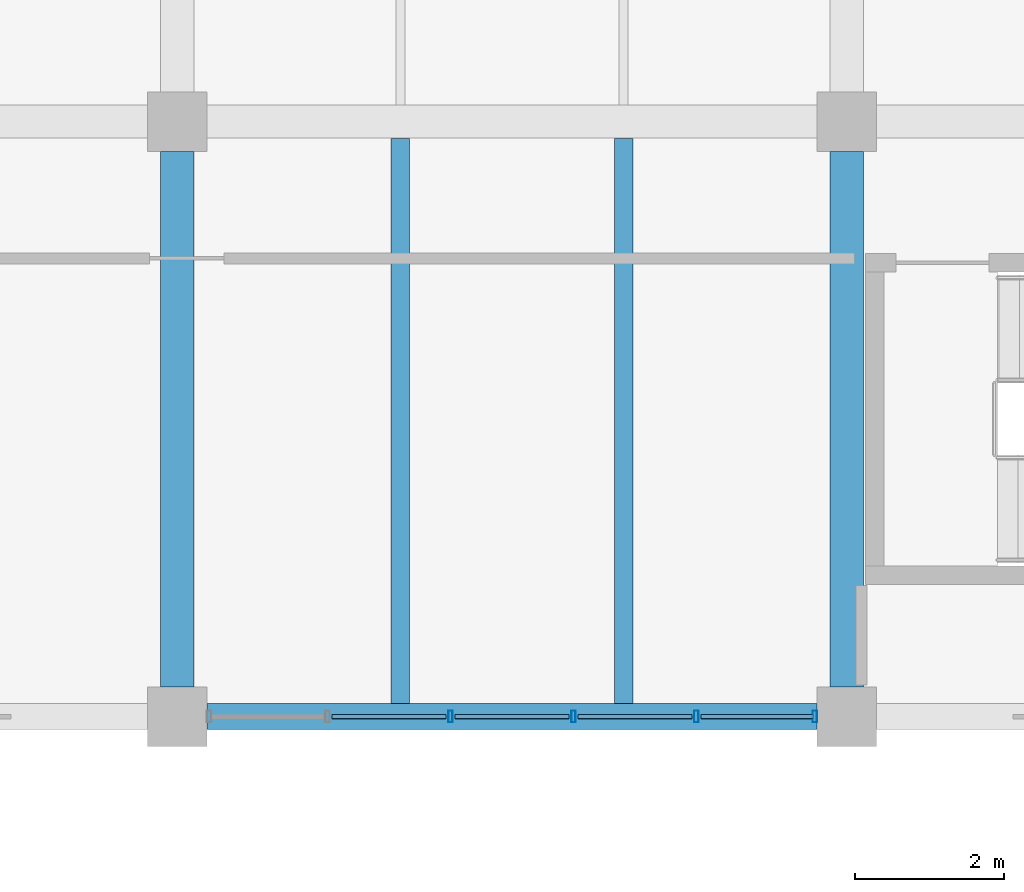
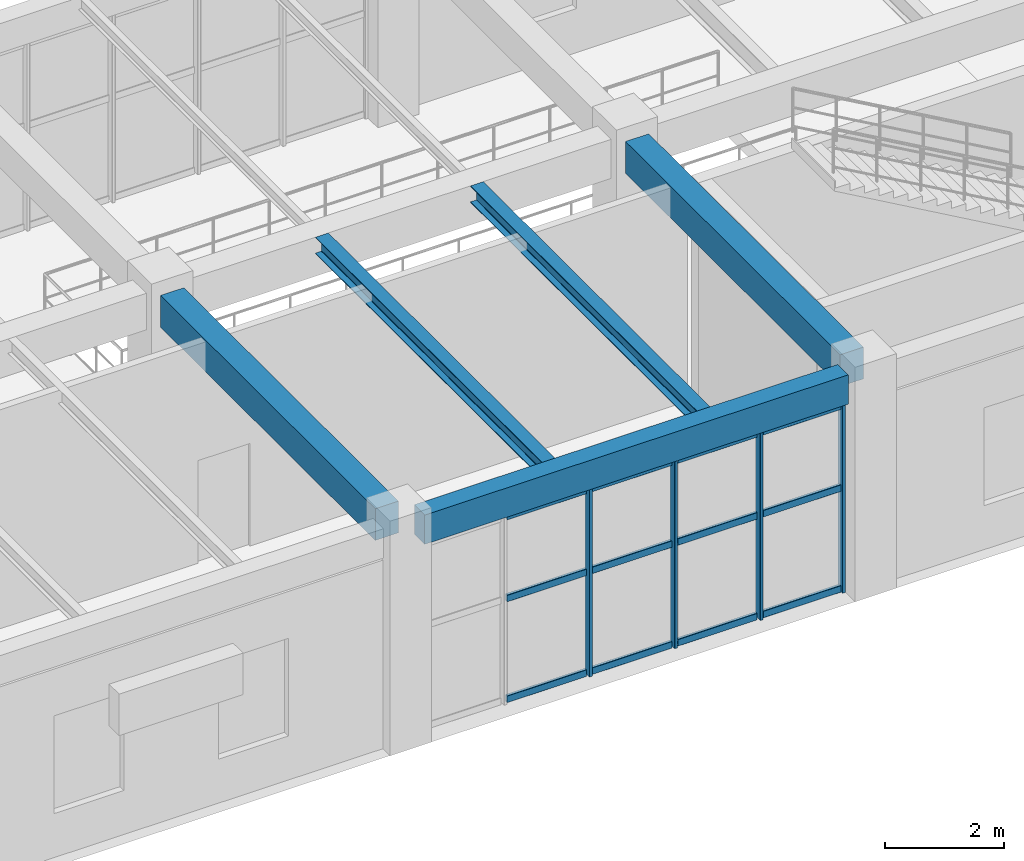
# One storey, part 46 of 178: 16 members, 5 beams, 1 element without a shape of its own.
"""IFC4 building model written with IfcOpenShell, lengths in metres."""

from ifc_helpers import new_model, si_unit, derived_unit, direction, frame, origin, origin_2d, place, context, subcontext, project, spatial, rectangle, hollow_rectangle, i_section, extrude, material, material_profile, profile_set, type_object, element, aggregate, save


model = new_model("IFC4")

# Units and contexts
model_context = context("Model", 3, precision=1e-05, world=origin(), true_north=direction((0.0, 1.0)))
body_context = subcontext(model_context, "Body", "Model", "MODEL_VIEW")
ifc_project = project(units=[si_unit("LENGTHUNIT", "METRE"), si_unit("AREAUNIT", "SQUARE_METRE"), si_unit("VOLUMEUNIT", "CUBIC_METRE"), si_unit("PLANEANGLEUNIT", "RADIAN"), si_unit("MASSUNIT", "GRAM", prefix="KILO"), derived_unit("THERMALTRANSMITTANCEUNIT", [(si_unit("MASSUNIT", "GRAM", prefix="KILO"), 1), (si_unit("TIMEUNIT", "SECOND"), -3), (si_unit("THERMODYNAMICTEMPERATUREUNIT", "KELVIN"), -1)])], contexts=[model_context])

# Site, building, storey
site_placement = place(None, origin())
site = spatial("IfcSite", under=ifc_project, at=site_placement, CompositionType="ELEMENT")
building_placement = place(site_placement, origin())
building = spatial("IfcBuilding", under=site, at=building_placement, Name="Zhenchuan Archway Interchange", CompositionType="ELEMENT")
storey_placement = place(building_placement, frame((0.0, 0.0, 5.39990234375)))
storey = spatial("IfcBuildingStorey", under=building, at=storey_placement, Name="L01", CompositionType="ELEMENT", Elevation=5.39990234375)

# Beams
ifc_material_1 = material(Name="Concrete C40", Category="concrete")
ifc_material_profile_1 = material_profile(ifc_material_1, rectangle(XDim=0.449951171875, YDim=0.64990234375, at=origin_2d()), Name="RC 450x650")
ifc_profile_set_1 = profile_set([ifc_material_profile_1], Name="Concrete C40")
beam_type_1 = type_object("IfcBeamType", Name="BM_RC_450x650", PredefinedType="BEAM", material=ifc_profile_set_1)
for number, where, z_axis, x_axis, name in (
    (1, (108.0, 8.39990234375, 4.18505859375), (0.0, 1.0, 0.0), (-1.0, 0.0, 0.0), "Beam 13:B-C (L01)"),
    (2, (117.0, 8.39990234375, 4.18505859375), (0.0, 1.0, 0.0), (-1.0, 0.0, 0.0), "Beam 14:B-C (L01)"),
):
    element("IfcBeam", number, at=place(storey_placement, frame(where, z_axis=z_axis, x_axis=x_axis)), inside=storey, type_object=beam_type_1, Name=name, PredefinedType="BEAM", context=body_context, shape_type="SweptSolid", body=[
        extrude(rectangle(XDim=0.449951171875, YDim=0.64990234375, at=origin_2d()), origin(), (0.0, 0.0, 1.0), 7.2001953125),
    ])

# Curtain wall, members
ifc_material_2 = material(Name="Anodised Aluminium", Category="aluminium")
curtain_wall_type = type_object("IfcCurtainWallType", Name="CW_UNIT_1", PredefinedType="NOTDEFINED", material=ifc_material_2)
curtain_wall_placement = place(storey_placement, origin())
curtain_wall = element("IfcCurtainWall", 3, at=curtain_wall_placement, inside=storey, type_object=curtain_wall_type, Name="Unitised curtain wall CW:L01:072", PredefinedType="NOTDEFINED")
ifc_material_profile_2 = material_profile(ifc_material_2, hollow_rectangle(XDim=0.06005859375, YDim=0.159912109375, WallThickness=0.00390625, InnerFilletRadius=0.00390625, OuterFilletRadius=0.008056640625, at=origin_2d()), Name="ALU 160x60x4")
ifc_profile_set_2 = profile_set([ifc_material_profile_2], Name="Anodised Aluminium")
member_type_1 = type_object("IfcMemberType", Name="CW_MUL_150", PredefinedType="MULLION", material=ifc_profile_set_2)
member_1_placement = place(storey_placement, frame((116.572021484375, 8.0, 0.0), z_axis=(0.0, 0.0, 1.0), x_axis=(1.0, 0.0, 0.0)))
member_1 = element("IfcMember", 4, at=member_1_placement, type_object=member_type_1, Name="CW:L01:072 mullion 0", PredefinedType="MULLION", context=body_context, shape_type="SweptSolid", body=[
    extrude(hollow_rectangle(XDim=0.06005859375, YDim=0.159912109375, WallThickness=0.00390625, InnerFilletRadius=0.00390625, OuterFilletRadius=0.008056640625, at=origin_2d()), origin(), (0.0, 0.0, 1.0), 3.880126953125),
])
member_2_placement = place(storey_placement, frame((114.979248046875, 8.0, 0.0), z_axis=(0.0, 0.0, 1.0), x_axis=(1.0, 0.0, 0.0)))
member_2 = element("IfcMember", 5, at=member_2_placement, type_object=member_type_1, Name="CW:L01:072 mullion 1", PredefinedType="MULLION", context=body_context, shape_type="SweptSolid", body=[
    extrude(hollow_rectangle(XDim=0.06005859375, YDim=0.159912109375, WallThickness=0.00390625, InnerFilletRadius=0.00390625, OuterFilletRadius=0.008056640625, at=origin_2d()), origin(), (0.0, 0.0, 1.0), 3.880126953125),
])
member_3_placement = place(storey_placement, frame((113.326416015625, 8.0, 0.0), z_axis=(0.0, 0.0, 1.0), x_axis=(1.0, 0.0, 0.0)))
member_3 = element("IfcMember", 6, at=member_3_placement, type_object=member_type_1, Name="CW:L01:072 mullion 2", PredefinedType="MULLION", context=body_context, shape_type="SweptSolid", body=[
    extrude(hollow_rectangle(XDim=0.06005859375, YDim=0.159912109375, WallThickness=0.00390625, InnerFilletRadius=0.00390625, OuterFilletRadius=0.008056640625, at=origin_2d()), origin(), (0.0, 0.0, 1.0), 3.880126953125),
])
member_4_placement = place(storey_placement, frame((111.673583984375, 8.0, 0.0), z_axis=(0.0, 0.0, 1.0), x_axis=(1.0, 0.0, 0.0)))
member_4 = element("IfcMember", 7, at=member_4_placement, type_object=member_type_1, Name="CW:L01:072 mullion 3", PredefinedType="MULLION", context=body_context, shape_type="SweptSolid", body=[
    extrude(hollow_rectangle(XDim=0.06005859375, YDim=0.159912109375, WallThickness=0.00390625, InnerFilletRadius=0.00390625, OuterFilletRadius=0.008056640625, at=origin_2d()), origin(), (0.0, 0.0, 1.0), 3.880126953125),
])
ifc_material_profile_3 = material_profile(ifc_material_2, hollow_rectangle(XDim=0.06005859375, YDim=0.139892578125, WallThickness=0.00341796875, InnerFilletRadius=0.00341796875, OuterFilletRadius=0.007080078125, at=origin_2d()), Name="ALU 140x60x3.5")
ifc_profile_set_3 = profile_set([ifc_material_profile_3], Name="Anodised Aluminium")
member_type_2 = type_object("IfcMemberType", Name="CW_TRN_140", PredefinedType="USERDEFINED", material=ifc_profile_set_3)
member_5_placement = place(storey_placement, frame((116.552001953125, 8.0, 0.06005859375), z_axis=(-1.0, 0.0, 0.0), x_axis=(0.0, -1.0, 0.0)))
member_5 = element("IfcMember", 8, at=member_5_placement, type_object=member_type_2, Name="CW:L01:072 transom 0-1", ObjectType="TRANSOM", PredefinedType="USERDEFINED", context=body_context, shape_type="SweptSolid", body=[
    extrude(hollow_rectangle(XDim=0.06005859375, YDim=0.139892578125, WallThickness=0.00341796875, InnerFilletRadius=0.00341796875, OuterFilletRadius=0.007080078125, at=origin_2d()), origin(), (0.0, 0.0, 1.0), 1.5126953125),
])
member_6_placement = place(storey_placement, frame((116.552001953125, 8.0, 2.123046875), z_axis=(-1.0, 0.0, 0.0), x_axis=(0.0, -1.0, 0.0)))
member_6 = element("IfcMember", 9, at=member_6_placement, type_object=member_type_2, Name="CW:L01:072 transom 0-2", ObjectType="TRANSOM", PredefinedType="USERDEFINED", context=body_context, shape_type="SweptSolid", body=[
    extrude(hollow_rectangle(XDim=0.06005859375, YDim=0.139892578125, WallThickness=0.00341796875, InnerFilletRadius=0.00341796875, OuterFilletRadius=0.007080078125, at=origin_2d()), origin(), (0.0, 0.0, 1.0), 1.5126953125),
])
member_7_placement = place(storey_placement, frame((116.552001953125, 8.0, 3.800048828125), z_axis=(-1.0, 0.0, 0.0), x_axis=(0.0, -1.0, 0.0)))
member_7 = element("IfcMember", 10, at=member_7_placement, type_object=member_type_2, Name="CW:L01:072 transom 0-3", ObjectType="TRANSOM", PredefinedType="USERDEFINED", context=body_context, shape_type="SweptSolid", body=[
    extrude(hollow_rectangle(XDim=0.06005859375, YDim=0.139892578125, WallThickness=0.00341796875, InnerFilletRadius=0.00341796875, OuterFilletRadius=0.007080078125, at=origin_2d()), origin(), (0.0, 0.0, 1.0), 1.5126953125),
])
member_8_placement = place(storey_placement, frame((114.919189453125, 8.0, 0.06005859375), z_axis=(-1.0, 0.0, 0.0), x_axis=(0.0, -1.0, 0.0)))
member_8 = element("IfcMember", 11, at=member_8_placement, type_object=member_type_2, Name="CW:L01:072 transom 1-1", ObjectType="TRANSOM", PredefinedType="USERDEFINED", context=body_context, shape_type="SweptSolid", body=[
    extrude(hollow_rectangle(XDim=0.06005859375, YDim=0.139892578125, WallThickness=0.00341796875, InnerFilletRadius=0.00341796875, OuterFilletRadius=0.007080078125, at=origin_2d()), origin(), (0.0, 0.0, 1.0), 1.53271484375),
])
member_9_placement = place(storey_placement, frame((114.919189453125, 8.0, 2.123046875), z_axis=(-1.0, 0.0, 0.0), x_axis=(0.0, -1.0, 0.0)))
member_9 = element("IfcMember", 12, at=member_9_placement, type_object=member_type_2, Name="CW:L01:072 transom 1-2", ObjectType="TRANSOM", PredefinedType="USERDEFINED", context=body_context, shape_type="SweptSolid", body=[
    extrude(hollow_rectangle(XDim=0.06005859375, YDim=0.139892578125, WallThickness=0.00341796875, InnerFilletRadius=0.00341796875, OuterFilletRadius=0.007080078125, at=origin_2d()), origin(), (0.0, 0.0, 1.0), 1.53271484375),
])
member_10_placement = place(storey_placement, frame((114.919189453125, 8.0, 3.800048828125), z_axis=(-1.0, 0.0, 0.0), x_axis=(0.0, -1.0, 0.0)))
member_10 = element("IfcMember", 13, at=member_10_placement, type_object=member_type_2, Name="CW:L01:072 transom 1-3", ObjectType="TRANSOM", PredefinedType="USERDEFINED", context=body_context, shape_type="SweptSolid", body=[
    extrude(hollow_rectangle(XDim=0.06005859375, YDim=0.139892578125, WallThickness=0.00341796875, InnerFilletRadius=0.00341796875, OuterFilletRadius=0.007080078125, at=origin_2d()), origin(), (0.0, 0.0, 1.0), 1.53271484375),
])
member_11_placement = place(storey_placement, frame((113.266357421875, 8.0, 0.06005859375), z_axis=(-1.0, 0.0, 0.0), x_axis=(0.0, -1.0, 0.0)))
member_11 = element("IfcMember", 14, at=member_11_placement, type_object=member_type_2, Name="CW:L01:072 transom 2-1", ObjectType="TRANSOM", PredefinedType="USERDEFINED", context=body_context, shape_type="SweptSolid", body=[
    extrude(hollow_rectangle(XDim=0.06005859375, YDim=0.139892578125, WallThickness=0.00341796875, InnerFilletRadius=0.00341796875, OuterFilletRadius=0.007080078125, at=origin_2d()), origin(), (0.0, 0.0, 1.0), 1.53271484375),
])
member_12_placement = place(storey_placement, frame((113.266357421875, 8.0, 2.123046875), z_axis=(-1.0, 0.0, 0.0), x_axis=(0.0, -1.0, 0.0)))
member_12 = element("IfcMember", 15, at=member_12_placement, type_object=member_type_2, Name="CW:L01:072 transom 2-2", ObjectType="TRANSOM", PredefinedType="USERDEFINED", context=body_context, shape_type="SweptSolid", body=[
    extrude(hollow_rectangle(XDim=0.06005859375, YDim=0.139892578125, WallThickness=0.00341796875, InnerFilletRadius=0.00341796875, OuterFilletRadius=0.007080078125, at=origin_2d()), origin(), (0.0, 0.0, 1.0), 1.53271484375),
])
member_13_placement = place(storey_placement, frame((113.266357421875, 8.0, 3.800048828125), z_axis=(-1.0, 0.0, 0.0), x_axis=(0.0, -1.0, 0.0)))
member_13 = element("IfcMember", 16, at=member_13_placement, type_object=member_type_2, Name="CW:L01:072 transom 2-3", ObjectType="TRANSOM", PredefinedType="USERDEFINED", context=body_context, shape_type="SweptSolid", body=[
    extrude(hollow_rectangle(XDim=0.06005859375, YDim=0.139892578125, WallThickness=0.00341796875, InnerFilletRadius=0.00341796875, OuterFilletRadius=0.007080078125, at=origin_2d()), origin(), (0.0, 0.0, 1.0), 1.53271484375),
])
member_14_placement = place(storey_placement, frame((111.613525390625, 8.0, 0.06005859375), z_axis=(-1.0, 0.0, 0.0), x_axis=(0.0, -1.0, 0.0)))
member_14 = element("IfcMember", 17, at=member_14_placement, type_object=member_type_2, Name="CW:L01:072 transom 3-1", ObjectType="TRANSOM", PredefinedType="USERDEFINED", context=body_context, shape_type="SweptSolid", body=[
    extrude(hollow_rectangle(XDim=0.06005859375, YDim=0.139892578125, WallThickness=0.00341796875, InnerFilletRadius=0.00341796875, OuterFilletRadius=0.007080078125, at=origin_2d()), origin(), (0.0, 0.0, 1.0), 1.53271484375),
])
member_15_placement = place(storey_placement, frame((111.613525390625, 8.0, 2.123046875), z_axis=(-1.0, 0.0, 0.0), x_axis=(0.0, -1.0, 0.0)))
member_15 = element("IfcMember", 18, at=member_15_placement, type_object=member_type_2, Name="CW:L01:072 transom 3-2", ObjectType="TRANSOM", PredefinedType="USERDEFINED", context=body_context, shape_type="SweptSolid", body=[
    extrude(hollow_rectangle(XDim=0.06005859375, YDim=0.139892578125, WallThickness=0.00341796875, InnerFilletRadius=0.00341796875, OuterFilletRadius=0.007080078125, at=origin_2d()), origin(), (0.0, 0.0, 1.0), 1.53271484375),
])
member_16_placement = place(storey_placement, frame((111.613525390625, 8.0, 3.800048828125), z_axis=(-1.0, 0.0, 0.0), x_axis=(0.0, -1.0, 0.0)))
member_16 = element("IfcMember", 19, at=member_16_placement, type_object=member_type_2, Name="CW:L01:072 transom 3-3", ObjectType="TRANSOM", PredefinedType="USERDEFINED", context=body_context, shape_type="SweptSolid", body=[
    extrude(hollow_rectangle(XDim=0.06005859375, YDim=0.139892578125, WallThickness=0.00341796875, InnerFilletRadius=0.00341796875, OuterFilletRadius=0.007080078125, at=origin_2d()), origin(), (0.0, 0.0, 1.0), 1.53271484375),
])
aggregate(curtain_wall, [member_1, member_2, member_3, member_4, member_5, member_6, member_7, member_8, member_9, member_10, member_11, member_12, member_13, member_14, member_15, member_16])

# Beams
ifc_material_3 = material(Name="Steel Q355", Category="steel")
ifc_material_profile_4 = material_profile(ifc_material_3, i_section(OverallWidth=0.25, OverallDepth=0.340087890625, WebThickness=0.009033203125, FlangeThickness=0.013916015625, FilletRadius=0.01806640625, at=origin_2d()), Name="HM 340x250")
ifc_profile_set_4 = profile_set([ifc_material_profile_4], Name="Steel Q355")
beam_type_2 = type_object("IfcBeamType", Name="JST_STL_HM340", PredefinedType="JOIST", material=ifc_profile_set_4)
for number, where, z_axis, x_axis, name in (
    (20, (111.0, 8.175048828125, 4.340087890625), (0.0, 1.0, 0.0), (-1.0, 0.0, 0.0), "Secondary joist 13-14/B-C #1 (L01)"),
    (21, (114.0, 8.175048828125, 4.340087890625), (0.0, 1.0, 0.0), (-1.0, 0.0, 0.0), "Secondary joist 13-14/B-C #2 (L01)"),
):
    element("IfcBeam", number, at=place(storey_placement, frame(where, z_axis=z_axis, x_axis=x_axis)), inside=storey, type_object=beam_type_2, Name=name, PredefinedType="JOIST", context=body_context, shape_type="SweptSolid", body=[
        extrude(i_section(OverallWidth=0.25, OverallDepth=0.340087890625, WebThickness=0.009033203125, FlangeThickness=0.013916015625, FilletRadius=0.01806640625, at=origin_2d()), origin(), (0.0, 0.0, 1.0), 7.599853515625),
    ])
ifc_material_profile_5 = material_profile(ifc_material_1, rectangle(XDim=0.35009765625, YDim=0.60009765625, at=origin_2d()), Name="RC 350x600")
ifc_profile_set_5 = profile_set([ifc_material_profile_5], Name="Concrete C40")
beam_type_3 = type_object("IfcBeamType", Name="SP_RC_350x600", PredefinedType="SPANDREL", material=ifc_profile_set_5)
beam_placement = place(storey_placement, frame((108.39990234375, 8.0, 4.210205078125), z_axis=(1.0, 0.0, 0.0), x_axis=(0.0, 1.0, 0.0)))
element("IfcBeam", 22, at=beam_placement, inside=storey, type_object=beam_type_3, Name="Beam B:13-14 (L01)", PredefinedType="SPANDREL", context=body_context, shape_type="SweptSolid", body=[
    extrude(rectangle(XDim=0.35009765625, YDim=0.60009765625, at=origin_2d()), origin(), (0.0, 0.0, 1.0), 8.2001953125),
])

save(model, "model.ifc")
